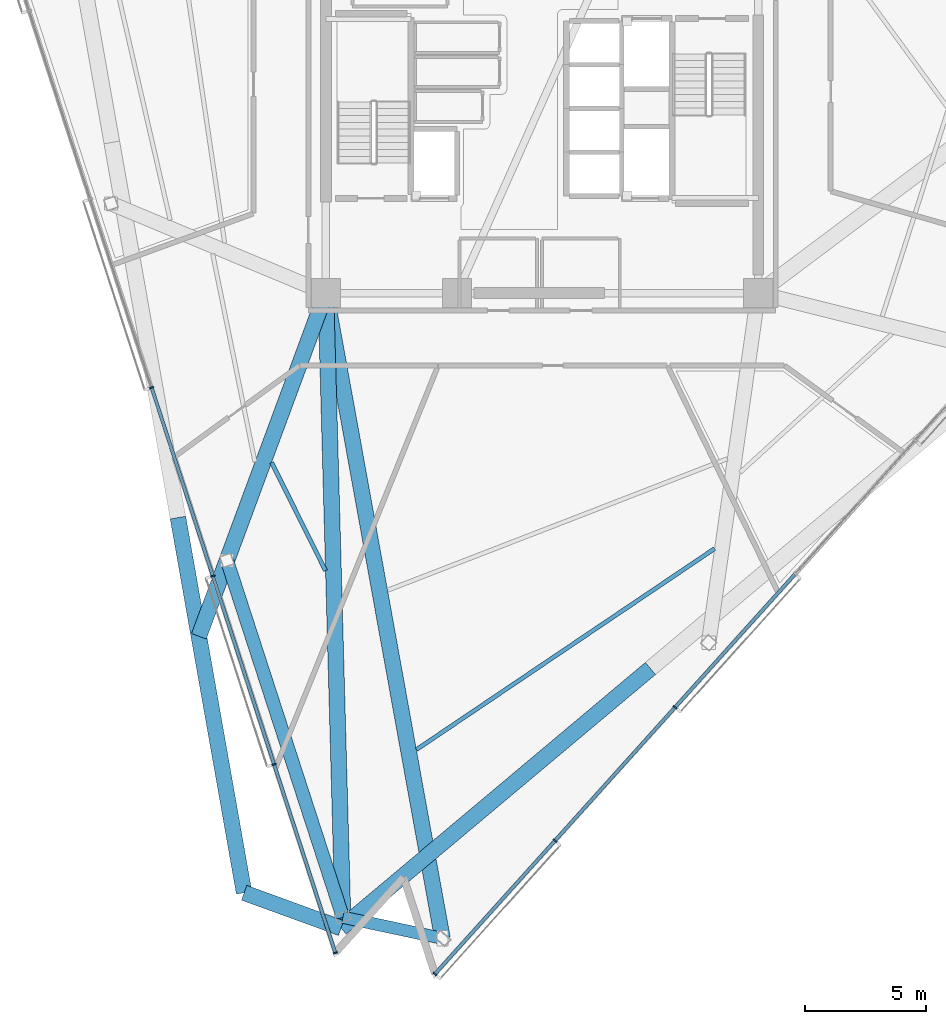
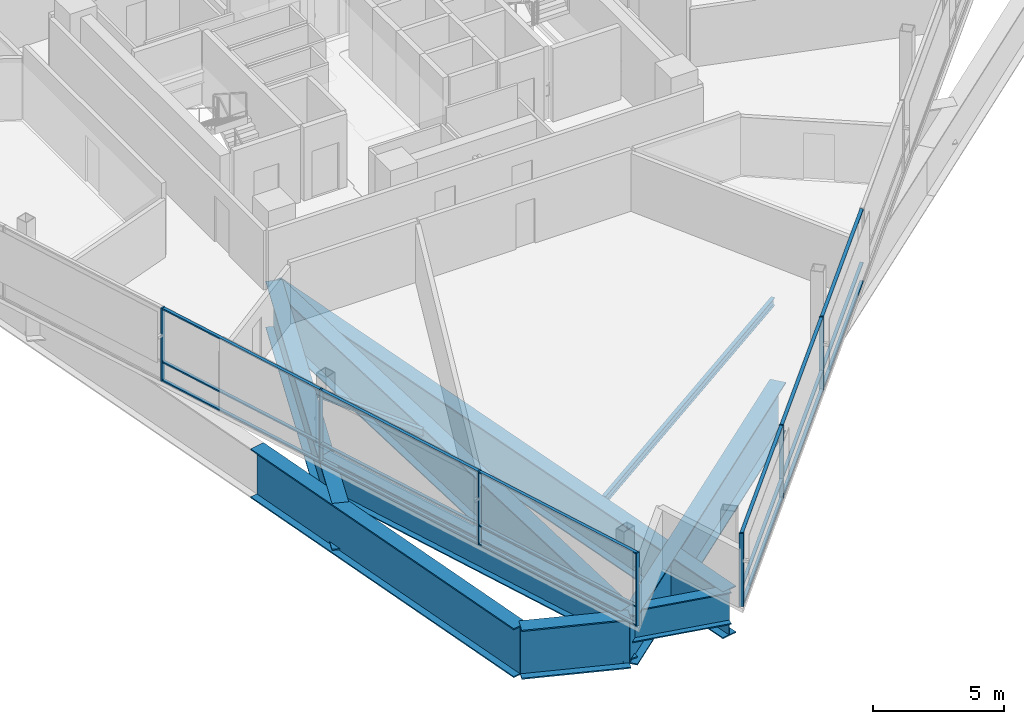
# One storey, part 2 of 17: 25 members, 10 beams, 2 elements without a shape of their own.
"""IFC4 building model written with IfcOpenShell, lengths in metres."""

from ifc_helpers import new_model, si_unit, direction, frame, origin, origin_2d, place, context, subcontext, project, spatial, rectangle, i_section, extrude, material, layer, layer_set, material_profile, profile_set, type_object, element, aggregate, save


model = new_model("IFC4")

# Units and contexts
model_context = context("Model", 3, precision=1e-05, world=origin(), true_north=direction((0.0, 1.0)))
body_context = subcontext(model_context, "Body", "Model", "MODEL_VIEW")
ifc_project = project(units=[si_unit("LENGTHUNIT", "METRE"), si_unit("AREAUNIT", "SQUARE_METRE"), si_unit("VOLUMEUNIT", "CUBIC_METRE"), si_unit("PLANEANGLEUNIT", "RADIAN"), si_unit("MASSUNIT", "GRAM", prefix="KILO")], contexts=[model_context])

# Site, building, storey
site_placement = place(None, origin())
site = spatial("IfcSite", under=ifc_project, at=site_placement, CompositionType="ELEMENT")
building_placement = place(site_placement, origin())
building = spatial("IfcBuilding", under=site, at=building_placement, Name="Tharavind Bronze Gate", CompositionType="ELEMENT")
storey_placement = place(building_placement, frame((0.0, 0.0, 196.85009765625)))
storey = spatial("IfcBuildingStorey", under=building, at=storey_placement, Name="L50", CompositionType="ELEMENT", Elevation=196.85009765625)

# Curtain wall, members
ifc_material_1 = material(Name="Anodised Bronze Aluminium", Category="aluminium")
ifc_layer = layer(ifc_material_1, 0.219970703125)
ifc_layer_set = layer_set([ifc_layer], Name="Anodised Bronze Aluminium")
curtain_wall_type = type_object("IfcCurtainWallType", Name="UNITISED CURTAIN WALL MID OFFICE", PredefinedType="USERDEFINED", material=ifc_layer_set)
curtain_wall_1_placement = place(storey_placement, origin())
curtain_wall_1 = element("IfcCurtainWall", 1, at=curtain_wall_1_placement, inside=storey, type_object=curtain_wall_type, Name="L50 unitised curtain wall mid office CW-L50-S1", ObjectType="UNITISED CURTAIN WALL", PredefinedType="USERDEFINED")
member_type_1 = type_object("IfcMemberType", Name="CURTAIN WALL BRONZE MULLION 65X180", PredefinedType="MULLION", material=ifc_material_1)
member_1_placement = place(storey_placement, frame((-16.0693359375, -11.489013671875, 0.0), z_axis=(0.0, 0.0, 1.0), x_axis=(0.309016994375, -0.951056516295, 0.0)))
member_1 = element("IfcMember", 2, at=member_1_placement, type_object=member_type_1, Name="CW-L50-S1 mullion 4", PredefinedType="MULLION", context=body_context, shape_type="SweptSolid", body=[
    extrude(rectangle(XDim=0.06494140625, YDim=0.179931640625, at=origin_2d()), origin(), (0.0, 0.0, 1.0), 3.419921875),
])
member_2_placement = place(storey_placement, frame((-13.54931640625, -19.24560546875, 0.0), z_axis=(0.0, 0.0, 1.0), x_axis=(0.309016994375, -0.951056516295, 0.0)))
member_2 = element("IfcMember", 3, at=member_2_placement, type_object=member_type_1, Name="CW-L50-S1 mullion 5", PredefinedType="MULLION", context=body_context, shape_type="SweptSolid", body=[
    extrude(rectangle(XDim=0.06494140625, YDim=0.179931640625, at=origin_2d()), origin(), (0.0, 0.0, 1.0), 3.419921875),
])
member_3_placement = place(storey_placement, frame((-11.029052734375, -27.002197265625, 0.0), z_axis=(0.0, 0.0, 1.0), x_axis=(0.309016994375, -0.951056516295, 0.0)))
member_3 = element("IfcMember", 4, at=member_3_placement, type_object=member_type_1, Name="CW-L50-S1 mullion 6", PredefinedType="MULLION", context=body_context, shape_type="SweptSolid", body=[
    extrude(rectangle(XDim=0.06494140625, YDim=0.179931640625, at=origin_2d()), origin(), (0.0, 0.0, 1.0), 3.419921875),
])
member_4_placement = place(storey_placement, frame((-8.5087890625, -34.7587890625, 0.0), z_axis=(0.0, 0.0, 1.0), x_axis=(0.309016994375, -0.951056516295, 0.0)))
member_4 = element("IfcMember", 5, at=member_4_placement, type_object=member_type_1, Name="CW-L50-S1 mullion 7", PredefinedType="MULLION", context=body_context, shape_type="SweptSolid", body=[
    extrude(rectangle(XDim=0.06494140625, YDim=0.179931640625, at=origin_2d()), origin(), (0.0, 0.0, 1.0), 3.419921875),
])

curtain_wall_2_placement = place(storey_placement, origin())
curtain_wall_2 = element("IfcCurtainWall", 6, at=curtain_wall_2_placement, inside=storey, type_object=curtain_wall_type, Name="L50 unitised curtain wall mid office CW-L50-S2", ObjectType="UNITISED CURTAIN WALL", PredefinedType="USERDEFINED")
member_5_placement = place(storey_placement, frame((-4.412109375, -35.62939453125, 0.0), z_axis=(0.0, 0.0, 1.0), x_axis=(0.669130606359, 0.743144825477, 0.0)))
member_5 = element("IfcMember", 7, at=member_5_placement, type_object=member_type_1, Name="CW-L50-S2 mullion 1", PredefinedType="MULLION", context=body_context, shape_type="SweptSolid", body=[
    extrude(rectangle(XDim=0.06494140625, YDim=0.179931640625, at=origin_2d()), origin(), (0.0, 0.0, 1.0), 3.419921875),
])
member_6_placement = place(storey_placement, frame((0.5322265625, -30.13818359375, 0.0), z_axis=(0.0, 0.0, 1.0), x_axis=(0.669130606359, 0.743144825477, 0.0)))
member_6 = element("IfcMember", 8, at=member_6_placement, type_object=member_type_1, Name="CW-L50-S2 mullion 2", PredefinedType="MULLION", context=body_context, shape_type="SweptSolid", body=[
    extrude(rectangle(XDim=0.06494140625, YDim=0.179931640625, at=origin_2d()), origin(), (0.0, 0.0, 1.0), 3.419921875),
])
member_7_placement = place(storey_placement, frame((5.476806640625, -24.646484375, 0.0), z_axis=(0.0, 0.0, 1.0), x_axis=(0.669130606359, 0.743144825477, 0.0)))
member_7 = element("IfcMember", 9, at=member_7_placement, type_object=member_type_1, Name="CW-L50-S2 mullion 3", PredefinedType="MULLION", context=body_context, shape_type="SweptSolid", body=[
    extrude(rectangle(XDim=0.06494140625, YDim=0.179931640625, at=origin_2d()), origin(), (0.0, 0.0, 1.0), 3.419921875),
])

# Member
member_type_2 = type_object("IfcMemberType", Name="CURTAIN WALL BRONZE TRANSOM 65X140", PredefinedType="USERDEFINED", material=ifc_material_1)
member_8_placement = place(storey_placement, frame((-14.809326171875, -15.367431640625, 0.0), z_axis=(0.0, 0.0, 1.0), x_axis=(0.309016994375, -0.951056516295, 0.0)))
member_8 = element("IfcMember", 10, at=member_8_placement, type_object=member_type_2, Name="CW-L50-S1 transom TB4", ObjectType="TRANSOM", PredefinedType="USERDEFINED", context=body_context, shape_type="SweptSolid", body=[
    extrude(rectangle(XDim=8.102783203125, YDim=0.139892578125, at=origin_2d()), origin(), (0.0, 0.0, 1.0), 0.06494140625),
])

member_9_placement = place(storey_placement, frame((-14.809326171875, -15.367431640625, 0.867431640625), z_axis=(0.0, 0.0, 1.0), x_axis=(0.309016994375, -0.951056516295, 0.0)))
member_9 = element("IfcMember", 11, at=member_9_placement, type_object=member_type_2, Name="CW-L50-S1 transom TS4", ObjectType="TRANSOM", PredefinedType="USERDEFINED", context=body_context, shape_type="SweptSolid", body=[
    extrude(rectangle(XDim=8.102783203125, YDim=0.139892578125, at=origin_2d()), origin(), (0.0, 0.0, 1.0), 0.06494140625),
])

member_10_placement = place(storey_placement, frame((-14.809326171875, -15.367431640625, 3.35498046875), z_axis=(0.0, 0.0, 1.0), x_axis=(0.309016994375, -0.951056516295, 0.0)))
member_10 = element("IfcMember", 12, at=member_10_placement, type_object=member_type_2, Name="CW-L50-S1 transom TT4", ObjectType="TRANSOM", PredefinedType="USERDEFINED", context=body_context, shape_type="SweptSolid", body=[
    extrude(rectangle(XDim=8.102783203125, YDim=0.139892578125, at=origin_2d()), origin(), (0.0, 0.0, 1.0), 0.06494140625),
])

member_11_placement = place(storey_placement, frame((-12.2890625, -23.123779296875, 0.0), z_axis=(0.0, 0.0, 1.0), x_axis=(0.309016994375, -0.951056516295, 0.0)))
member_11 = element("IfcMember", 13, at=member_11_placement, type_object=member_type_2, Name="CW-L50-S1 transom TB5", ObjectType="TRANSOM", PredefinedType="USERDEFINED", context=body_context, shape_type="SweptSolid", body=[
    extrude(rectangle(XDim=8.102783203125, YDim=0.139892578125, at=origin_2d()), origin(), (0.0, 0.0, 1.0), 0.06494140625),
])

member_12_placement = place(storey_placement, frame((-12.2890625, -23.123779296875, 0.867431640625), z_axis=(0.0, 0.0, 1.0), x_axis=(0.309016994375, -0.951056516295, 0.0)))
member_12 = element("IfcMember", 14, at=member_12_placement, type_object=member_type_2, Name="CW-L50-S1 transom TS5", ObjectType="TRANSOM", PredefinedType="USERDEFINED", context=body_context, shape_type="SweptSolid", body=[
    extrude(rectangle(XDim=8.102783203125, YDim=0.139892578125, at=origin_2d()), origin(), (0.0, 0.0, 1.0), 0.06494140625),
])

member_13_placement = place(storey_placement, frame((-12.2890625, -23.123779296875, 3.35498046875), z_axis=(0.0, 0.0, 1.0), x_axis=(0.309016994375, -0.951056516295, 0.0)))
member_13 = element("IfcMember", 15, at=member_13_placement, type_object=member_type_2, Name="CW-L50-S1 transom TT5", ObjectType="TRANSOM", PredefinedType="USERDEFINED", context=body_context, shape_type="SweptSolid", body=[
    extrude(rectangle(XDim=8.102783203125, YDim=0.139892578125, at=origin_2d()), origin(), (0.0, 0.0, 1.0), 0.06494140625),
])

member_14_placement = place(storey_placement, frame((-9.768798828125, -30.88037109375, 0.0), z_axis=(0.0, 0.0, 1.0), x_axis=(0.309016994375, -0.951056516295, 0.0)))
member_14 = element("IfcMember", 16, at=member_14_placement, type_object=member_type_2, Name="CW-L50-S1 transom TB6", ObjectType="TRANSOM", PredefinedType="USERDEFINED", context=body_context, shape_type="SweptSolid", body=[
    extrude(rectangle(XDim=8.102783203125, YDim=0.139892578125, at=origin_2d()), origin(), (0.0, 0.0, 1.0), 0.06494140625),
])

member_15_placement = place(storey_placement, frame((-9.768798828125, -30.88037109375, 0.867431640625), z_axis=(0.0, 0.0, 1.0), x_axis=(0.309016994375, -0.951056516295, 0.0)))
member_15 = element("IfcMember", 17, at=member_15_placement, type_object=member_type_2, Name="CW-L50-S1 transom TS6", ObjectType="TRANSOM", PredefinedType="USERDEFINED", context=body_context, shape_type="SweptSolid", body=[
    extrude(rectangle(XDim=8.102783203125, YDim=0.139892578125, at=origin_2d()), origin(), (0.0, 0.0, 1.0), 0.06494140625),
])

member_16_placement = place(storey_placement, frame((-9.768798828125, -30.88037109375, 3.35498046875), z_axis=(0.0, 0.0, 1.0), x_axis=(0.309016994375, -0.951056516295, 0.0)))
member_16 = element("IfcMember", 18, at=member_16_placement, type_object=member_type_2, Name="CW-L50-S1 transom TT6", ObjectType="TRANSOM", PredefinedType="USERDEFINED", context=body_context, shape_type="SweptSolid", body=[
    extrude(rectangle(XDim=8.102783203125, YDim=0.139892578125, at=origin_2d()), origin(), (0.0, 0.0, 1.0), 0.06494140625),
])

aggregate(curtain_wall_1, [member_1, member_2, member_3, member_4, member_8, member_9, member_10, member_11, member_12, member_13, member_14, member_15, member_16])

member_17_placement = place(storey_placement, frame((-1.93994140625, -32.8837890625, 0.0), z_axis=(0.0, 0.0, 1.0), x_axis=(0.669130606359, 0.743144825477, 0.0)))
member_17 = element("IfcMember", 19, at=member_17_placement, type_object=member_type_2, Name="CW-L50-S2 transom TB1", ObjectType="TRANSOM", PredefinedType="USERDEFINED", context=body_context, shape_type="SweptSolid", body=[
    extrude(rectangle(XDim=7.33642578125, YDim=0.139892578125, at=origin_2d()), origin(), (0.0, 0.0, 1.0), 0.06494140625),
])

member_18_placement = place(storey_placement, frame((-1.93994140625, -32.8837890625, 0.867431640625), z_axis=(0.0, 0.0, 1.0), x_axis=(0.669130606359, 0.743144825477, 0.0)))
member_18 = element("IfcMember", 20, at=member_18_placement, type_object=member_type_2, Name="CW-L50-S2 transom TS1", ObjectType="TRANSOM", PredefinedType="USERDEFINED", context=body_context, shape_type="SweptSolid", body=[
    extrude(rectangle(XDim=7.33642578125, YDim=0.139892578125, at=origin_2d()), origin(), (0.0, 0.0, 1.0), 0.06494140625),
])

member_19_placement = place(storey_placement, frame((-1.93994140625, -32.8837890625, 3.35498046875), z_axis=(0.0, 0.0, 1.0), x_axis=(0.669130606359, 0.743144825477, 0.0)))
member_19 = element("IfcMember", 21, at=member_19_placement, type_object=member_type_2, Name="CW-L50-S2 transom TT1", ObjectType="TRANSOM", PredefinedType="USERDEFINED", context=body_context, shape_type="SweptSolid", body=[
    extrude(rectangle(XDim=7.33642578125, YDim=0.139892578125, at=origin_2d()), origin(), (0.0, 0.0, 1.0), 0.06494140625),
])

member_20_placement = place(storey_placement, frame((3.004638671875, -27.392333984375, 0.0), z_axis=(0.0, 0.0, 1.0), x_axis=(0.669130606359, 0.743144825477, 0.0)))
member_20 = element("IfcMember", 22, at=member_20_placement, type_object=member_type_2, Name="CW-L50-S2 transom TB2", ObjectType="TRANSOM", PredefinedType="USERDEFINED", context=body_context, shape_type="SweptSolid", body=[
    extrude(rectangle(XDim=7.33642578125, YDim=0.139892578125, at=origin_2d()), origin(), (0.0, 0.0, 1.0), 0.06494140625),
])

member_21_placement = place(storey_placement, frame((3.004638671875, -27.392333984375, 0.867431640625), z_axis=(0.0, 0.0, 1.0), x_axis=(0.669130606359, 0.743144825477, 0.0)))
member_21 = element("IfcMember", 23, at=member_21_placement, type_object=member_type_2, Name="CW-L50-S2 transom TS2", ObjectType="TRANSOM", PredefinedType="USERDEFINED", context=body_context, shape_type="SweptSolid", body=[
    extrude(rectangle(XDim=7.33642578125, YDim=0.139892578125, at=origin_2d()), origin(), (0.0, 0.0, 1.0), 0.06494140625),
])

member_22_placement = place(storey_placement, frame((3.004638671875, -27.392333984375, 3.35498046875), z_axis=(0.0, 0.0, 1.0), x_axis=(0.669130606359, 0.743144825477, 0.0)))
member_22 = element("IfcMember", 24, at=member_22_placement, type_object=member_type_2, Name="CW-L50-S2 transom TT2", ObjectType="TRANSOM", PredefinedType="USERDEFINED", context=body_context, shape_type="SweptSolid", body=[
    extrude(rectangle(XDim=7.33642578125, YDim=0.139892578125, at=origin_2d()), origin(), (0.0, 0.0, 1.0), 0.06494140625),
])

member_23_placement = place(storey_placement, frame((7.94921875, -21.90087890625, 0.0), z_axis=(0.0, 0.0, 1.0), x_axis=(0.669130606359, 0.743144825477, 0.0)))
member_23 = element("IfcMember", 25, at=member_23_placement, type_object=member_type_2, Name="CW-L50-S2 transom TB3", ObjectType="TRANSOM", PredefinedType="USERDEFINED", context=body_context, shape_type="SweptSolid", body=[
    extrude(rectangle(XDim=7.33642578125, YDim=0.139892578125, at=origin_2d()), origin(), (0.0, 0.0, 1.0), 0.06494140625),
])

member_24_placement = place(storey_placement, frame((7.94921875, -21.90087890625, 0.867431640625), z_axis=(0.0, 0.0, 1.0), x_axis=(0.669130606359, 0.743144825477, 0.0)))
member_24 = element("IfcMember", 26, at=member_24_placement, type_object=member_type_2, Name="CW-L50-S2 transom TS3", ObjectType="TRANSOM", PredefinedType="USERDEFINED", context=body_context, shape_type="SweptSolid", body=[
    extrude(rectangle(XDim=7.33642578125, YDim=0.139892578125, at=origin_2d()), origin(), (0.0, 0.0, 1.0), 0.06494140625),
])

member_25_placement = place(storey_placement, frame((7.94921875, -21.90087890625, 3.35498046875), z_axis=(0.0, 0.0, 1.0), x_axis=(0.669130606359, 0.743144825477, 0.0)))
member_25 = element("IfcMember", 27, at=member_25_placement, type_object=member_type_2, Name="CW-L50-S2 transom TT3", ObjectType="TRANSOM", PredefinedType="USERDEFINED", context=body_context, shape_type="SweptSolid", body=[
    extrude(rectangle(XDim=7.33642578125, YDim=0.139892578125, at=origin_2d()), origin(), (0.0, 0.0, 1.0), 0.06494140625),
])

aggregate(curtain_wall_2, [member_5, member_6, member_7, member_17, member_18, member_19, member_20, member_21, member_22, member_23, member_24, member_25])

# Beams
ifc_material_2 = material(Name="Steel S355", Category="steel")
ifc_material_profile_1 = material_profile(ifc_material_2, i_section(OverallWidth=0.169921875, OverallDepth=0.360107421875, WebThickness=0.008056640625, FlangeThickness=0.0126953125, at=origin_2d()), Name="IPE360")
ifc_profile_set_1 = profile_set([ifc_material_profile_1], Name="Steel S355")
beam_type_1 = type_object("IfcBeamType", Name="SECONDARY FLOOR JOIST IPE360", PredefinedType="JOIST", material=ifc_profile_set_1)
beam_1_placement = place(storey_placement, frame((-11.12939453125, -14.57177734375, -0.3701171875), z_axis=(0.445386744855, -0.895338286631, 0.0), x_axis=(0.895338286631, 0.445386744855, 0.0)))
element("IfcBeam", 28, at=beam_1_placement, inside=storey, type_object=beam_type_1, Name="L50 secondary floor joist ipe360 BM-L50-JSTA03", PredefinedType="JOIST", context=body_context, shape_type="SweptSolid", body=[
    extrude(i_section(OverallWidth=0.169921875, OverallDepth=0.360107421875, WebThickness=0.008056640625, FlangeThickness=0.0126953125, at=origin_2d()), origin(), (0.0, 0.0, 1.0), 4.973876953125),
])
beam_2_placement = place(storey_placement, frame((-5.170654296875, -26.391357421875, -0.3701171875), z_axis=(0.829184151788, 0.558975529361, 0.0), x_axis=(-0.558975529361, 0.829184151788, 0.0)))
element("IfcBeam", 29, at=beam_2_placement, inside=storey, type_object=beam_type_1, Name="L50 secondary floor joist ipe360 BM-L50-JSTB05", PredefinedType="JOIST", context=body_context, shape_type="SweptSolid", body=[
    extrude(i_section(OverallWidth=0.169921875, OverallDepth=0.360107421875, WebThickness=0.008056640625, FlangeThickness=0.0126953125, at=origin_2d()), origin(), (0.0, 0.0, 1.0), 14.7998046875),
])
ifc_material_3 = material(Name="Steel S460", Category="steel")
ifc_material_profile_2 = material_profile(ifc_material_3, i_section(OverallWidth=0.5, OverallDepth=1.5, WebThickness=0.028076171875, FlangeThickness=0.050048828125, at=origin_2d()), Name="PG1500X500")
ifc_profile_set_2 = profile_set([ifc_material_profile_2], Name="Steel S460")
beam_type_2 = type_object("IfcBeamType", Name="TRANSFER GIRDER 1500X500", PredefinedType="USERDEFINED", material=ifc_profile_set_2)
beam_3_placement = place(storey_placement, frame((-8.197021484375, -33.29150390625, -0.940185546875), z_axis=(0.978144033538, -0.207928472445, 0.0), x_axis=(0.207928472445, 0.978144033538, 0.0)))
element("IfcBeam", 30, at=beam_3_placement, inside=storey, type_object=beam_type_2, Name="L50 transfer girder 1500x500 BM-L50-URG04", ObjectType="TRANSFER GIRDER", PredefinedType="USERDEFINED", context=body_context, shape_type="SweptSolid", body=[
    extrude(i_section(OverallWidth=0.5, OverallDepth=1.5, WebThickness=0.028076171875, FlangeThickness=0.050048828125, at=origin_2d()), origin(), (0.0, 0.0, 1.0), 4.188232421875),
])
ifc_material_profile_3 = material_profile(ifc_material_3, i_section(OverallWidth=0.550048828125, OverallDepth=1.60009765625, WebThickness=0.030029296875, FlangeThickness=0.050048828125, at=origin_2d()), Name="PG1600X550")
ifc_profile_set_3 = profile_set([ifc_material_profile_3], Name="Steel S460")
beam_type_3 = type_object("IfcBeamType", Name="TRANSFER GIRDER 1600X550", PredefinedType="USERDEFINED", material=ifc_profile_set_3)
beam_4_placement = place(storey_placement, frame((-12.9697265625, -18.60205078125, -0.989990234375), z_axis=(0.309006009957, -0.951060085279, 0.0), x_axis=(0.951060085279, 0.309006009957, 0.0)))
element("IfcBeam", 31, at=beam_4_placement, inside=storey, type_object=beam_type_3, Name="L50 transfer girder 1600x550 BM-L50-URG03", ObjectType="TRANSFER GIRDER", PredefinedType="USERDEFINED", context=body_context, shape_type="SweptSolid", body=[
    extrude(i_section(OverallWidth=0.550048828125, OverallDepth=1.60009765625, WebThickness=0.030029296875, FlangeThickness=0.050048828125, at=origin_2d()), origin(), (0.0, 0.0, 1.0), 15.4453125),
])
ifc_material_profile_4 = material_profile(ifc_material_3, i_section(OverallWidth=0.64990234375, OverallDepth=2.199951171875, WebThickness=0.035888671875, FlangeThickness=0.054931640625, at=origin_2d()), Name="PG2200X650")
ifc_profile_set_4 = profile_set([ifc_material_profile_4], Name="Steel S460")
beam_type_4 = type_object("IfcBeamType", Name="TRANSFER GIRDER 2200X650", PredefinedType="USERDEFINED", material=ifc_profile_set_4)
beam_5_placement = place(storey_placement, frame((-8.89990234375, -7.60009765625, -1.2900390625), z_axis=(-0.346948998888, -0.937883997182, 0.0), x_axis=(0.937883997182, -0.346948998888, 0.0)))
element("IfcBeam", 32, at=beam_5_placement, inside=storey, type_object=beam_type_4, Name="L50 transfer girder 2200x650 BM-L50-XFR03", ObjectType="TRANSFER GIRDER", PredefinedType="USERDEFINED", context=body_context, shape_type="SweptSolid", body=[
    extrude(i_section(OverallWidth=0.64990234375, OverallDepth=2.199951171875, WebThickness=0.035888671875, FlangeThickness=0.054931640625, at=origin_2d()), origin(), (0.0, 0.0, 1.0), 15.0615234375),
])
beam_6_placement = place(storey_placement, frame((-8.89990234375, -7.60009765625, -1.2900390625), z_axis=(0.027349175515, -0.999625941339, 0.0), x_axis=(0.999625941339, 0.027349175515, 0.0)))
element("IfcBeam", 33, at=beam_6_placement, inside=storey, type_object=beam_type_4, Name="L50 transfer girder 2200x650 BM-L50-XFR04", ObjectType="TRANSFER GIRDER", PredefinedType="USERDEFINED", context=body_context, shape_type="SweptSolid", body=[
    extrude(i_section(OverallWidth=0.64990234375, OverallDepth=2.199951171875, WebThickness=0.035888671875, FlangeThickness=0.054931640625, at=origin_2d()), origin(), (0.0, 0.0, 1.0), 26.0751953125),
])
beam_7_placement = place(storey_placement, frame((-8.89990234375, -7.60009765625, -1.2900390625), z_axis=(0.177811606083, -0.984064547041, 0.0), x_axis=(0.984064547041, 0.177811606083, 0.0)))
element("IfcBeam", 34, at=beam_7_placement, inside=storey, type_object=beam_type_4, Name="L50 transfer girder 2200x650 BM-L50-XFR05", ObjectType="TRANSFER GIRDER", PredefinedType="USERDEFINED", context=body_context, shape_type="SweptSolid", body=[
    extrude(i_section(OverallWidth=0.64990234375, OverallDepth=2.199951171875, WebThickness=0.035888671875, FlangeThickness=0.054931640625, at=origin_2d()), origin(), (0.0, 0.0, 1.0), 26.992431640625),
])
ifc_material_profile_5 = material_profile(ifc_material_3, i_section(OverallWidth=0.64990234375, OverallDepth=2.300048828125, WebThickness=0.035888671875, FlangeThickness=0.05810546875, at=origin_2d()), Name="PG2300X650")
ifc_profile_set_5 = profile_set([ifc_material_profile_5], Name="Steel S460")
beam_type_5 = type_object("IfcBeamType", Name="TRANSFER GIRDER 2300X650", PredefinedType="USERDEFINED", material=ifc_profile_set_5)
beam_8_placement = place(storey_placement, frame((-14.98681640625, -16.841796875, -1.340087890625), z_axis=(0.173647661488, -0.984807844028, 0.0), x_axis=(0.984807844028, 0.173647661488, 0.0)))
element("IfcBeam", 35, at=beam_8_placement, inside=storey, type_object=beam_type_5, Name="L50 transfer girder 2300x650 BM-L50-LRG03", ObjectType="TRANSFER GIRDER", PredefinedType="USERDEFINED", context=body_context, shape_type="SweptSolid", body=[
    extrude(i_section(OverallWidth=0.64990234375, OverallDepth=2.300048828125, WebThickness=0.035888671875, FlangeThickness=0.05810546875, at=origin_2d()), origin(), (0.0, 0.0, 1.0), 15.6806640625),
])
beam_9_placement = place(storey_placement, frame((-12.263916015625, -32.2841796875, -1.340087890625), z_axis=(0.939697742591, -0.342006070953, 0.0), x_axis=(0.342006070953, 0.939697742591, 0.0)))
element("IfcBeam", 36, at=beam_9_placement, inside=storey, type_object=beam_type_5, Name="L50 transfer girder 2300x650 BM-L50-LRG04", ObjectType="TRANSFER GIRDER", PredefinedType="USERDEFINED", context=body_context, shape_type="SweptSolid", body=[
    extrude(i_section(OverallWidth=0.64990234375, OverallDepth=2.300048828125, WebThickness=0.035888671875, FlangeThickness=0.05810546875, at=origin_2d()), origin(), (0.0, 0.0, 1.0), 4.248046875),
])
beam_10_placement = place(storey_placement, frame((-8.27197265625, -33.737060546875, -1.340087890625), z_axis=(0.766042947444, 0.642789392159, 0.0), x_axis=(-0.642789392159, 0.766042947444, 0.0)))
element("IfcBeam", 37, at=beam_10_placement, inside=storey, type_object=beam_type_5, Name="L50 transfer girder 2300x650 BM-L50-LRG05", ObjectType="TRANSFER GIRDER", PredefinedType="USERDEFINED", context=body_context, shape_type="SweptSolid", body=[
    extrude(i_section(OverallWidth=0.64990234375, OverallDepth=2.300048828125, WebThickness=0.035888671875, FlangeThickness=0.05810546875, at=origin_2d()), origin(), (0.0, 0.0, 1.0), 16.624755859375),
])

save(model, "model.ifc")
